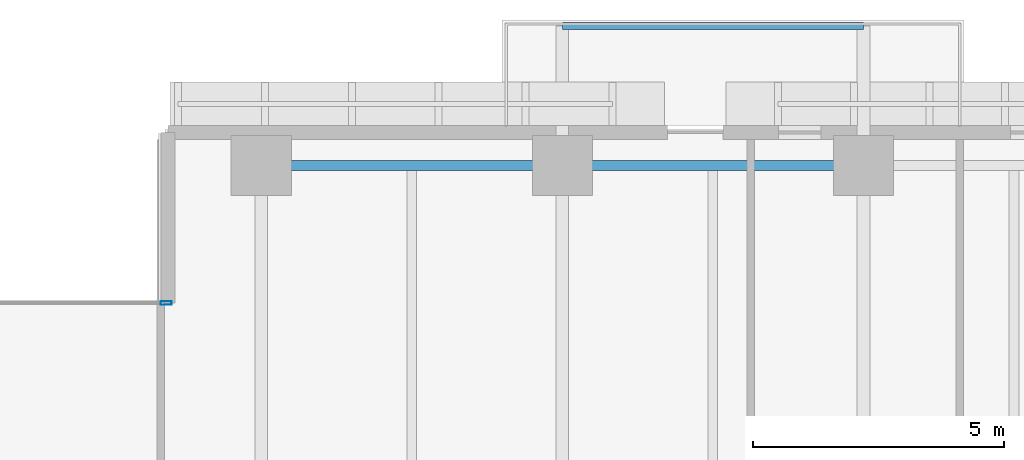
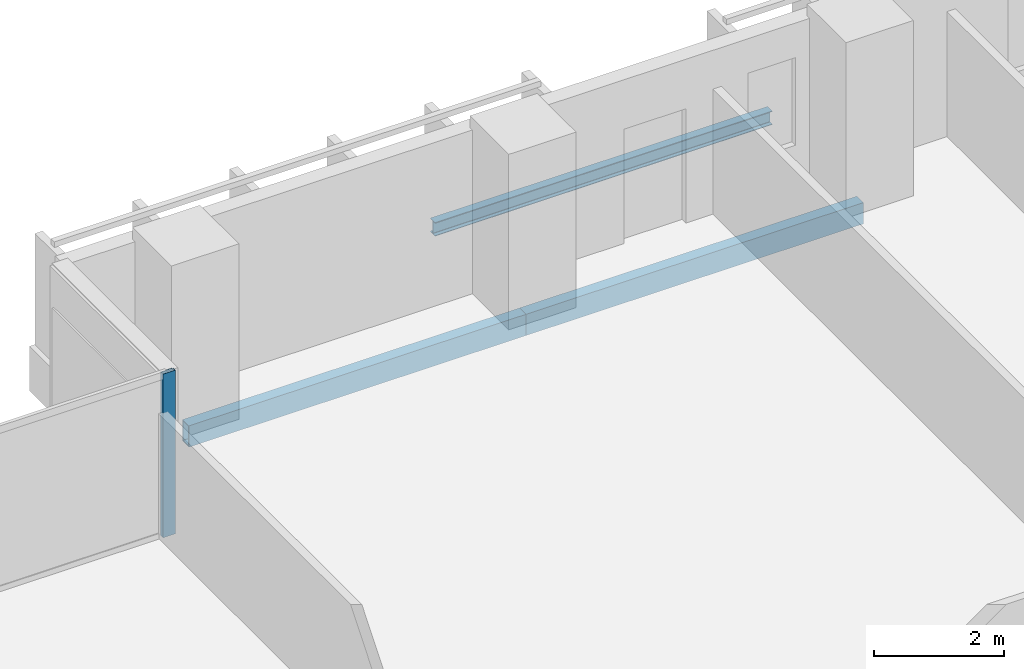
# One storey, part 8 of 25: 3 beams, 1 member, 1 element without a shape of its own.
"""IFC4 building model written with IfcOpenShell, lengths in metres."""

from ifc_helpers import new_model, si_unit, direction, frame, origin, origin_2d, place, context, subcontext, project, spatial, hollow_rectangle, i_section, extrude, material, layer, layer_set, material_profile, profile_set, type_object, element, aggregate, save


model = new_model("IFC4")

# Units and contexts
model_context = context("Model", 3, precision=1e-05, world=origin(), true_north=direction((0.0, 1.0)))
body_context = subcontext(model_context, "Body", "Model", "MODEL_VIEW")
ifc_project = project(units=[si_unit("LENGTHUNIT", "METRE"), si_unit("AREAUNIT", "SQUARE_METRE"), si_unit("VOLUMEUNIT", "CUBIC_METRE"), si_unit("PLANEANGLEUNIT", "RADIAN"), si_unit("MASSUNIT", "GRAM", prefix="KILO")], contexts=[model_context])

# Site, building, storey
site_placement = place(None, origin())
site = spatial("IfcSite", under=ifc_project, at=site_placement, CompositionType="ELEMENT")
building_placement = place(site_placement, origin())
building = spatial("IfcBuilding", under=site, at=building_placement, Name="Tanjung Sevakor Pilgrim Tower", CompositionType="ELEMENT")
storey_placement = place(building_placement, frame((0.0, 0.0, 42.239990234375)))
storey = spatial("IfcBuildingStorey", under=building, at=storey_placement, Name="L11", CompositionType="ELEMENT", Elevation=42.239990234375)

# Beams
ifc_material_1 = material(Name="Steel S355J2", Category="steel")
ifc_material_profile_1 = material_profile(ifc_material_1, i_section(OverallWidth=0.146484375, OverallDepth=0.256103515625, WebThickness=0.00634765625, FlangeThickness=0.010986328125, FilletRadius=0.007568359375, at=origin_2d()))
ifc_profile_set_1 = profile_set([ifc_material_profile_1], Name="Steel S355J2")
beam_type_1 = type_object("IfcBeamType", Name="BM-B-J6-UB_254x146x37", PredefinedType="JOIST", material=ifc_profile_set_1)
beam_placement = place(storey_placement, frame((60.0, 61.580078125, -0.327880859375), z_axis=(1.0, 0.0, 0.0), x_axis=(0.0, 1.0, 0.0)))
element("IfcBeam", 1, at=beam_placement, inside=storey, type_object=beam_type_1, Name="L11 Balcony Rim Tie MAIN-N2", PredefinedType="JOIST", context=body_context, shape_type="SweptSolid", body=[
    extrude(i_section(OverallWidth=0.146484375, OverallDepth=0.256103515625, WebThickness=0.00634765625, FlangeThickness=0.010986328125, FilletRadius=0.007568359375, at=origin_2d()), origin(), (0.0, 0.0, 1.0), 6.0),
])
ifc_material_2 = material(Name="Steel S355J2", Category="steel")
ifc_material_profile_2 = material_profile(ifc_material_2, hollow_rectangle(XDim=0.199951171875, YDim=0.39990234375, WallThickness=0.01611328125, at=origin_2d()))
ifc_profile_set_2 = profile_set([ifc_material_profile_2], Name="Steel S355J2")
beam_type_2 = type_object("IfcBeamType", Name="BM-B-SP2-RHS_400x200x16", PredefinedType="SPANDREL", material=ifc_profile_set_2)
for number, where, z_axis, x_axis, name in (
    (2, (54.0, 58.800048828125, -0.419921875), (1.0, 0.0, 0.0), (0.0, 1.0, 0.0), "L11 Spandrel MAIN N-08"),
    (3, (60.0, 58.800048828125, -0.419921875), (1.0, 0.0, 0.0), (0.0, 1.0, 0.0), "L11 Spandrel MAIN N-10"),
):
    element("IfcBeam", number, at=place(storey_placement, frame(where, z_axis=z_axis, x_axis=x_axis)), inside=storey, type_object=beam_type_2, Name=name, PredefinedType="SPANDREL", context=body_context, shape_type="SweptSolid", body=[
        extrude(hollow_rectangle(XDim=0.199951171875, YDim=0.39990234375, WallThickness=0.01611328125, at=origin_2d()), origin(), (0.0, 0.0, 1.0), 6.0),
    ])

# Curtain wall, member
ifc_material_3 = material(Name="Aluminium 6063-T6 and Low-E Glass", Category="aluminium")
ifc_layer = layer(ifc_material_3, 0.179931640625)
ifc_layer_set = layer_set([ifc_layer], Name="CW-SYS-CLEFT")
curtain_wall_type = type_object("IfcCurtainWallType", Name="CW-SYS-CLEFT", PredefinedType="NOTDEFINED", material=ifc_layer_set)
curtain_wall_placement = place(storey_placement, origin())
curtain_wall = element("IfcCurtainWall", 4, at=curtain_wall_placement, inside=storey, type_object=curtain_wall_type, Name="L11 Curtain Wall CW-CLF-L11-10", PredefinedType="NOTDEFINED")
ifc_material_4 = material(Name="Aluminium 6063-T6", Category="aluminium")
ifc_material_profile_3 = material_profile(ifc_material_4, hollow_rectangle(XDim=0.074951171875, YDim=0.219970703125, WallThickness=0.0048828125, at=origin_2d()))
ifc_profile_set_3 = profile_set([ifc_material_profile_3], Name="Aluminium 6063-T6")
member_type = type_object("IfcMemberType", Name="TYPE-CWM-2", PredefinedType="MULLION", material=ifc_profile_set_3)
member_placement = place(storey_placement, frame((52.1025390625, 56.06005859375, 0.0), z_axis=(0.0, 0.0, 1.0), x_axis=(0.0, -1.0, 0.0)))
member = element("IfcMember", 5, at=member_placement, type_object=member_type, Name="CW-CLF mullion 1", PredefinedType="MULLION", context=body_context, shape_type="SweptSolid", body=[
    extrude(hollow_rectangle(XDim=0.074951171875, YDim=0.219970703125, WallThickness=0.0048828125, at=origin_2d()), origin(), (0.0, 0.0, 1.0), 3.080078125),
])
aggregate(curtain_wall, [member])

save(model, "model.ifc")
